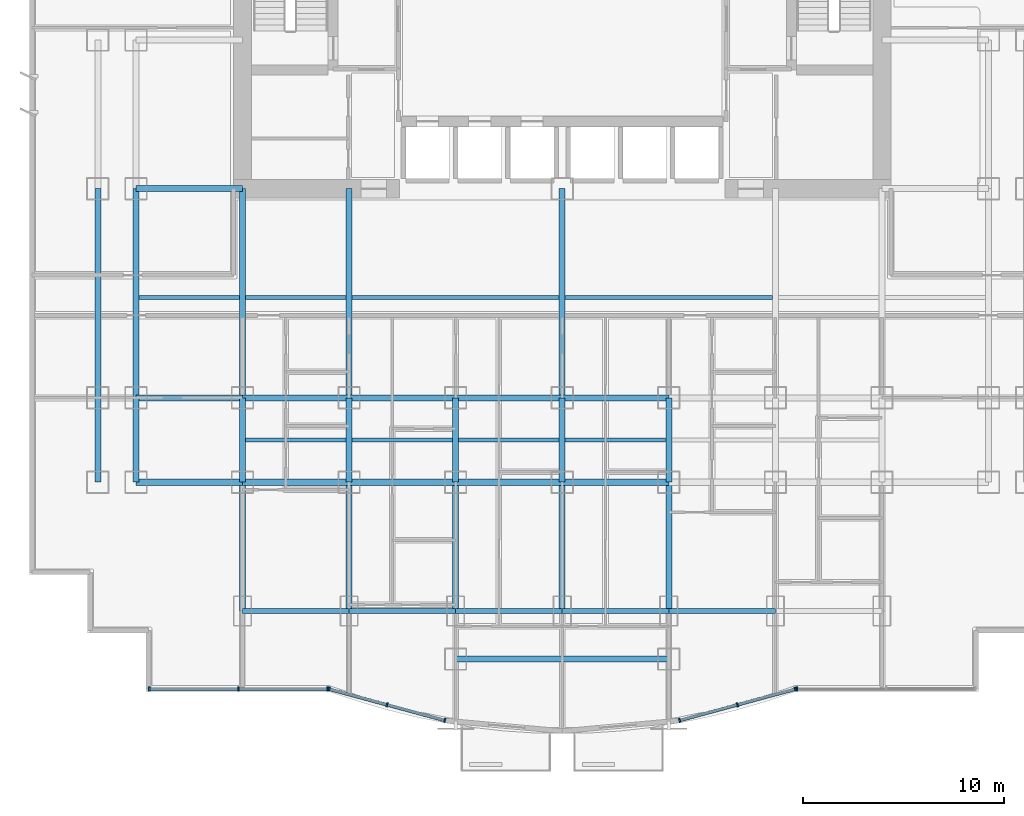
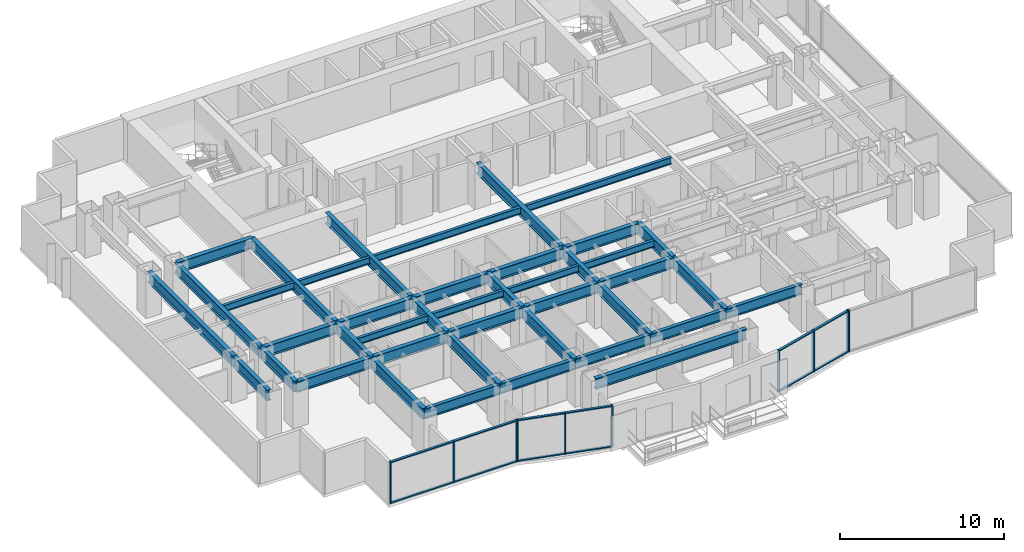
# One storey, part 2 of 12: 42 beams, 22 members, 4 elements without a shape of their own.
"""IFC4 building model written with IfcOpenShell, lengths in metres."""

from ifc_helpers import new_model, si_unit, direction, frame, origin, origin_2d, place, context, subcontext, project, spatial, rectangle, i_section, extrude, source, transform, mapped, material, layer, layer_set, material_profile, profile_set, type_object, element, aggregate, save


model = new_model("IFC4")

# Units and contexts
model_context = context("Model", 3, precision=1e-05, world=origin(), true_north=direction((0.0, 1.0)))
body_context = subcontext(model_context, "Body", "Model", "MODEL_VIEW")
ifc_project = project(units=[si_unit("LENGTHUNIT", "METRE"), si_unit("AREAUNIT", "SQUARE_METRE"), si_unit("VOLUMEUNIT", "CUBIC_METRE"), si_unit("PLANEANGLEUNIT", "RADIAN"), si_unit("MASSUNIT", "GRAM", prefix="KILO")], contexts=[model_context])

# Site, building, storey
site_placement = place(None, origin())
site = spatial("IfcSite", under=ifc_project, at=site_placement, CompositionType="ELEMENT")
building_placement = place(site_placement, origin())
building = spatial("IfcBuilding", under=site, at=building_placement, Name="Qianlan Lanfeng Residences", CompositionType="ELEMENT")
storey_placement = place(building_placement, frame((0.0, 0.0, 63.800048828125)))
storey = spatial("IfcBuildingStorey", under=building, at=storey_placement, Name="L17", CompositionType="ELEMENT", Elevation=63.800048828125)

# Beams
ifc_material_1 = material(Name="Steel SN490B", Category="steel")
ifc_material_profile_1 = material_profile(ifc_material_1, i_section(OverallWidth=0.300048828125, OverallDepth=0.800048828125, WebThickness=0.01611328125, FlangeThickness=0.028076171875, at=origin_2d()), Name="H 800x300x16x28")
ifc_profile_set_1 = profile_set([ifc_material_profile_1], Name="Steel SN490B")
beam_type_1 = type_object("IfcBeamType", Name="G-950", PredefinedType="BEAM", material=ifc_profile_set_1)
beam_1_placement = place(storey_placement, frame((21.199951171875, 1.800048828125, 2.679931640625), z_axis=(1.0, 0.0, 0.0), x_axis=(0.0, 1.0, 0.0)))
element("IfcBeam", 1, at=beam_1_placement, inside=storey, type_object=beam_type_1, Name="Structural beam G-950", PredefinedType="BEAM", context=body_context, shape_type="SweptSolid", body=[
    extrude(i_section(OverallWidth=0.300048828125, OverallDepth=0.800048828125, WebThickness=0.01611328125, FlangeThickness=0.028076171875, at=origin_2d()), origin(), (0.0, 0.0, 1.0), 10.60009765625),
])
beam_2_placement = place(storey_placement, frame((5.300048828125, 10.60009765625, 2.679931640625), z_axis=(1.0, 0.0, 0.0), x_axis=(0.0, 1.0, 0.0)))
element("IfcBeam", 2, at=beam_2_placement, inside=storey, type_object=beam_type_1, Name="Structural beam G-950", PredefinedType="BEAM", context=body_context, shape_type="SweptSolid", body=[
    extrude(i_section(OverallWidth=0.300048828125, OverallDepth=0.800048828125, WebThickness=0.01611328125, FlangeThickness=0.028076171875, at=origin_2d()), origin(), (0.0, 0.0, 1.0), 5.300048828125),
])
beam_3_placement = place(storey_placement, frame((10.60009765625, 10.60009765625, 2.679931640625), z_axis=(1.0, 0.0, 0.0), x_axis=(0.0, 1.0, 0.0)))
element("IfcBeam", 3, at=beam_3_placement, inside=storey, type_object=beam_type_1, Name="Structural beam G-950", PredefinedType="BEAM", context=body_context, shape_type="SweptSolid", body=[
    extrude(i_section(OverallWidth=0.300048828125, OverallDepth=0.800048828125, WebThickness=0.01611328125, FlangeThickness=0.028076171875, at=origin_2d()), origin(), (0.0, 0.0, 1.0), 5.2998046875),
])
for number, where, z_axis, x_axis, name in (
    (4, (15.89990234375, 10.60009765625, 2.679931640625), (1.0, 0.0, 0.0), (0.0, 1.0, 0.0), "Structural beam G-950"),
    (5, (21.199951171875, 10.60009765625, 2.679931640625), (1.0, 0.0, 0.0), (0.0, 1.0, 0.0), "Structural beam G-950"),
    (6, (26.5, 10.60009765625, 2.679931640625), (1.0, 0.0, 0.0), (0.0, 1.0, 0.0), "Structural beam G-950"),
    (7, (5.300048828125, 14.800048828125, 2.679931640625), (1.0, 0.0, 0.0), (0.0, 1.0, 0.0), "Structural beam G-950"),
):
    element("IfcBeam", number, at=place(storey_placement, frame(where, z_axis=z_axis, x_axis=x_axis)), inside=storey, type_object=beam_type_1, Name=name, PredefinedType="BEAM", context=body_context, shape_type="SweptSolid", body=[
        extrude(i_section(OverallWidth=0.300048828125, OverallDepth=0.800048828125, WebThickness=0.01611328125, FlangeThickness=0.028076171875, at=origin_2d()), origin(), (0.0, 0.0, 1.0), 5.300048828125),
    ])
beam_4_placement = place(storey_placement, frame((10.60009765625, 14.800048828125, 2.679931640625), z_axis=(1.0, 0.0, 0.0), x_axis=(0.0, 1.0, 0.0)))
element("IfcBeam", 8, at=beam_4_placement, inside=storey, type_object=beam_type_1, Name="Structural beam G-950", PredefinedType="BEAM", context=body_context, shape_type="SweptSolid", body=[
    extrude(i_section(OverallWidth=0.300048828125, OverallDepth=0.800048828125, WebThickness=0.01611328125, FlangeThickness=0.028076171875, at=origin_2d()), origin(), (0.0, 0.0, 1.0), 5.2998046875),
])
for number, where, z_axis, x_axis, name in (
    (9, (15.89990234375, 14.800048828125, 2.679931640625), (1.0, 0.0, 0.0), (0.0, 1.0, 0.0), "Structural beam G-950"),
    (10, (21.199951171875, 14.800048828125, 2.679931640625), (1.0, 0.0, 0.0), (0.0, 1.0, 0.0), "Structural beam G-950"),
    (11, (26.5, 14.800048828125, 2.679931640625), (1.0, 0.0, 0.0), (0.0, 1.0, 0.0), "Structural beam G-950"),
    (12, (5.300048828125, 25.199951171875, 2.679931640625), (1.0, 0.0, 0.0), (0.0, 1.0, 0.0), "Structural beam G-950"),
):
    element("IfcBeam", number, at=place(storey_placement, frame(where, z_axis=z_axis, x_axis=x_axis)), inside=storey, type_object=beam_type_1, Name=name, PredefinedType="BEAM", context=body_context, shape_type="SweptSolid", body=[
        extrude(i_section(OverallWidth=0.300048828125, OverallDepth=0.800048828125, WebThickness=0.01611328125, FlangeThickness=0.028076171875, at=origin_2d()), origin(), (0.0, 0.0, 1.0), 5.300048828125),
    ])
beam_5_placement = place(storey_placement, frame((3.39990234375, 10.60009765625, 2.679931640625), z_axis=(0.0, 1.0, 0.0), x_axis=(-1.0, 0.0, 0.0)))
element("IfcBeam", 13, at=beam_5_placement, inside=storey, type_object=beam_type_1, Name="Structural beam G-950", PredefinedType="BEAM", context=body_context, shape_type="SweptSolid", body=[
    extrude(i_section(OverallWidth=0.300048828125, OverallDepth=0.800048828125, WebThickness=0.01611328125, FlangeThickness=0.028076171875, at=origin_2d()), origin(), (0.0, 0.0, 1.0), 4.199951171875),
])
beam_6_placement = place(storey_placement, frame((3.39990234375, 14.800048828125, 2.679931640625), z_axis=(0.0, 1.0, 0.0), x_axis=(-1.0, 0.0, 0.0)))
element("IfcBeam", 14, at=beam_6_placement, inside=storey, type_object=beam_type_1, Name="Structural beam G-950", PredefinedType="BEAM", context=body_context, shape_type="SweptSolid", body=[
    extrude(i_section(OverallWidth=0.300048828125, OverallDepth=0.800048828125, WebThickness=0.01611328125, FlangeThickness=0.028076171875, at=origin_2d()), origin(), (0.0, 0.0, 1.0), 10.39990234375),
])
beam_7_placement = place(storey_placement, frame((5.300048828125, 10.60009765625, 2.679931640625), z_axis=(0.0, 1.0, 0.0), x_axis=(-1.0, 0.0, 0.0)))
element("IfcBeam", 15, at=beam_7_placement, inside=storey, type_object=beam_type_1, Name="Structural beam G-950", PredefinedType="BEAM", context=body_context, shape_type="SweptSolid", body=[
    extrude(i_section(OverallWidth=0.300048828125, OverallDepth=0.800048828125, WebThickness=0.01611328125, FlangeThickness=0.028076171875, at=origin_2d()), origin(), (0.0, 0.0, 1.0), 4.199951171875),
])
beam_8_placement = place(storey_placement, frame((5.300048828125, 14.800048828125, 2.679931640625), z_axis=(0.0, 1.0, 0.0), x_axis=(-1.0, 0.0, 0.0)))
element("IfcBeam", 16, at=beam_8_placement, inside=storey, type_object=beam_type_1, Name="Structural beam G-950", PredefinedType="BEAM", context=body_context, shape_type="SweptSolid", body=[
    extrude(i_section(OverallWidth=0.300048828125, OverallDepth=0.800048828125, WebThickness=0.01611328125, FlangeThickness=0.028076171875, at=origin_2d()), origin(), (0.0, 0.0, 1.0), 10.39990234375),
])
beam_9_placement = place(storey_placement, frame((10.60009765625, 4.199951171875, 2.679931640625), z_axis=(0.0, 1.0, 0.0), x_axis=(-1.0, 0.0, 0.0)))
element("IfcBeam", 17, at=beam_9_placement, inside=storey, type_object=beam_type_1, Name="Structural beam G-950", PredefinedType="BEAM", context=body_context, shape_type="SweptSolid", body=[
    extrude(i_section(OverallWidth=0.300048828125, OverallDepth=0.800048828125, WebThickness=0.01611328125, FlangeThickness=0.028076171875, at=origin_2d()), origin(), (0.0, 0.0, 1.0), 6.400146484375),
])
beam_10_placement = place(storey_placement, frame((10.60009765625, 10.60009765625, 2.679931640625), z_axis=(0.0, 1.0, 0.0), x_axis=(-1.0, 0.0, 0.0)))
element("IfcBeam", 18, at=beam_10_placement, inside=storey, type_object=beam_type_1, Name="Structural beam G-950", PredefinedType="BEAM", context=body_context, shape_type="SweptSolid", body=[
    extrude(i_section(OverallWidth=0.300048828125, OverallDepth=0.800048828125, WebThickness=0.01611328125, FlangeThickness=0.028076171875, at=origin_2d()), origin(), (0.0, 0.0, 1.0), 4.199951171875),
])
beam_11_placement = place(storey_placement, frame((10.60009765625, 14.800048828125, 2.679931640625), z_axis=(0.0, 1.0, 0.0), x_axis=(-1.0, 0.0, 0.0)))
element("IfcBeam", 19, at=beam_11_placement, inside=storey, type_object=beam_type_1, Name="Structural beam G-950", PredefinedType="BEAM", context=body_context, shape_type="SweptSolid", body=[
    extrude(i_section(OverallWidth=0.300048828125, OverallDepth=0.800048828125, WebThickness=0.01611328125, FlangeThickness=0.028076171875, at=origin_2d()), origin(), (0.0, 0.0, 1.0), 10.39990234375),
])
beam_12_placement = place(storey_placement, frame((15.89990234375, 4.199951171875, 2.679931640625), z_axis=(0.0, 1.0, 0.0), x_axis=(-1.0, 0.0, 0.0)))
element("IfcBeam", 20, at=beam_12_placement, inside=storey, type_object=beam_type_1, Name="Structural beam G-950", PredefinedType="BEAM", context=body_context, shape_type="SweptSolid", body=[
    extrude(i_section(OverallWidth=0.300048828125, OverallDepth=0.800048828125, WebThickness=0.01611328125, FlangeThickness=0.028076171875, at=origin_2d()), origin(), (0.0, 0.0, 1.0), 6.400146484375),
])
beam_13_placement = place(storey_placement, frame((15.89990234375, 10.60009765625, 2.679931640625), z_axis=(0.0, 1.0, 0.0), x_axis=(-1.0, 0.0, 0.0)))
element("IfcBeam", 21, at=beam_13_placement, inside=storey, type_object=beam_type_1, Name="Structural beam G-950", PredefinedType="BEAM", context=body_context, shape_type="SweptSolid", body=[
    extrude(i_section(OverallWidth=0.300048828125, OverallDepth=0.800048828125, WebThickness=0.01611328125, FlangeThickness=0.028076171875, at=origin_2d()), origin(), (0.0, 0.0, 1.0), 4.199951171875),
])
beam_14_placement = place(storey_placement, frame((15.89990234375, 14.800048828125, 2.679931640625), z_axis=(0.0, 1.0, 0.0), x_axis=(-1.0, 0.0, 0.0)))
element("IfcBeam", 22, at=beam_14_placement, inside=storey, type_object=beam_type_1, Name="Structural beam G-950", PredefinedType="BEAM", context=body_context, shape_type="SweptSolid", body=[
    extrude(i_section(OverallWidth=0.300048828125, OverallDepth=0.800048828125, WebThickness=0.01611328125, FlangeThickness=0.028076171875, at=origin_2d()), origin(), (0.0, 0.0, 1.0), 10.39990234375),
])
beam_15_placement = place(storey_placement, frame((21.199951171875, 4.199951171875, 2.679931640625), z_axis=(0.0, 1.0, 0.0), x_axis=(-1.0, 0.0, 0.0)))
element("IfcBeam", 23, at=beam_15_placement, inside=storey, type_object=beam_type_1, Name="Structural beam G-950", PredefinedType="BEAM", context=body_context, shape_type="SweptSolid", body=[
    extrude(i_section(OverallWidth=0.300048828125, OverallDepth=0.800048828125, WebThickness=0.01611328125, FlangeThickness=0.028076171875, at=origin_2d()), origin(), (0.0, 0.0, 1.0), 6.400146484375),
])
beam_16_placement = place(storey_placement, frame((21.199951171875, 10.60009765625, 2.679931640625), z_axis=(0.0, 1.0, 0.0), x_axis=(-1.0, 0.0, 0.0)))
element("IfcBeam", 24, at=beam_16_placement, inside=storey, type_object=beam_type_1, Name="Structural beam G-950", PredefinedType="BEAM", context=body_context, shape_type="SweptSolid", body=[
    extrude(i_section(OverallWidth=0.300048828125, OverallDepth=0.800048828125, WebThickness=0.01611328125, FlangeThickness=0.028076171875, at=origin_2d()), origin(), (0.0, 0.0, 1.0), 4.199951171875),
])
beam_17_placement = place(storey_placement, frame((26.5, 4.199951171875, 2.679931640625), z_axis=(0.0, 1.0, 0.0), x_axis=(-1.0, 0.0, 0.0)))
element("IfcBeam", 25, at=beam_17_placement, inside=storey, type_object=beam_type_1, Name="Structural beam G-950", PredefinedType="BEAM", context=body_context, shape_type="SweptSolid", body=[
    extrude(i_section(OverallWidth=0.300048828125, OverallDepth=0.800048828125, WebThickness=0.01611328125, FlangeThickness=0.028076171875, at=origin_2d()), origin(), (0.0, 0.0, 1.0), 6.400146484375),
])
beam_18_placement = place(storey_placement, frame((26.5, 10.60009765625, 2.679931640625), z_axis=(0.0, 1.0, 0.0), x_axis=(-1.0, 0.0, 0.0)))
element("IfcBeam", 26, at=beam_18_placement, inside=storey, type_object=beam_type_1, Name="Structural beam G-950", PredefinedType="BEAM", context=body_context, shape_type="SweptSolid", body=[
    extrude(i_section(OverallWidth=0.300048828125, OverallDepth=0.800048828125, WebThickness=0.01611328125, FlangeThickness=0.028076171875, at=origin_2d()), origin(), (0.0, 0.0, 1.0), 4.199951171875),
])
beam_19_placement = place(storey_placement, frame((26.5, 14.800048828125, 2.679931640625), z_axis=(0.0, 1.0, 0.0), x_axis=(-1.0, 0.0, 0.0)))
element("IfcBeam", 27, at=beam_19_placement, inside=storey, type_object=beam_type_1, Name="Structural beam G-950", PredefinedType="BEAM", context=body_context, shape_type="SweptSolid", body=[
    extrude(i_section(OverallWidth=0.300048828125, OverallDepth=0.800048828125, WebThickness=0.01611328125, FlangeThickness=0.028076171875, at=origin_2d()), origin(), (0.0, 0.0, 1.0), 10.39990234375),
])
beam_20_placement = place(storey_placement, frame((31.800048828125, 4.199951171875, 2.679931640625), z_axis=(0.0, 1.0, 0.0), x_axis=(-1.0, 0.0, 0.0)))
element("IfcBeam", 28, at=beam_20_placement, inside=storey, type_object=beam_type_1, Name="Structural beam G-950", PredefinedType="BEAM", context=body_context, shape_type="SweptSolid", body=[
    extrude(i_section(OverallWidth=0.300048828125, OverallDepth=0.800048828125, WebThickness=0.01611328125, FlangeThickness=0.028076171875, at=origin_2d()), origin(), (0.0, 0.0, 1.0), 6.400146484375),
])
beam_21_placement = place(storey_placement, frame((31.800048828125, 10.60009765625, 2.679931640625), z_axis=(0.0, 1.0, 0.0), x_axis=(-1.0, 0.0, 0.0)))
element("IfcBeam", 29, at=beam_21_placement, inside=storey, type_object=beam_type_1, Name="Structural beam G-950", PredefinedType="BEAM", context=body_context, shape_type="SweptSolid", body=[
    extrude(i_section(OverallWidth=0.300048828125, OverallDepth=0.800048828125, WebThickness=0.01611328125, FlangeThickness=0.028076171875, at=origin_2d()), origin(), (0.0, 0.0, 1.0), 4.199951171875),
])
ifc_material_profile_2 = material_profile(ifc_material_1, i_section(OverallWidth=0.199951171875, OverallDepth=0.5, WebThickness=0.010009765625, FlangeThickness=0.01611328125, at=origin_2d()), Name="H 500x200x10x16")
ifc_profile_set_2 = profile_set([ifc_material_profile_2], Name="Steel SN490B")
beam_type_2 = type_object("IfcBeamType", Name="J-500", PredefinedType="JOIST", material=ifc_profile_set_2)
for number, where, z_axis, x_axis, name in (
    (30, (10.75, 12.699951171875, 2.829833984375), (1.0, 0.0, 0.0), (0.0, 1.0, 0.0), "Structural beam J-500"),
    (31, (16.050048828125, 12.699951171875, 2.829833984375), (1.0, 0.0, 0.0), (0.0, 1.0, 0.0), "Structural beam J-500"),
    (32, (21.35009765625, 12.699951171875, 2.829833984375), (1.0, 0.0, 0.0), (0.0, 1.0, 0.0), "Structural beam J-500"),
    (33, (26.64990234375, 12.699951171875, 2.829833984375), (1.0, 0.0, 0.0), (0.0, 1.0, 0.0), "Structural beam J-500"),
    (34, (5.449951171875, 19.800048828125, 2.829833984375), (1.0, 0.0, 0.0), (0.0, 1.0, 0.0), "Structural beam J-500"),
    (35, (10.75, 19.800048828125, 2.829833984375), (1.0, 0.0, 0.0), (0.0, 1.0, 0.0), "Structural beam J-500"),
):
    element("IfcBeam", number, at=place(storey_placement, frame(where, z_axis=z_axis, x_axis=x_axis)), inside=storey, type_object=beam_type_2, Name=name, PredefinedType="JOIST", context=body_context, shape_type="SweptSolid", body=[
        extrude(i_section(OverallWidth=0.199951171875, OverallDepth=0.5, WebThickness=0.010009765625, FlangeThickness=0.01611328125, at=origin_2d()), origin(), (0.0, 0.0, 1.0), 5.0),
    ])
for number, where, z_axis, x_axis, name in (
    (36, (16.050048828125, 19.800048828125, 2.829833984375), (1.0, 0.0, 0.0), (0.0, 1.0, 0.0), "Structural beam J-500"),
    (37, (26.64990234375, 19.800048828125, 2.829833984375), (1.0, 0.0, 0.0), (0.0, 1.0, 0.0), "Structural beam J-500"),
):
    element("IfcBeam", number, at=place(storey_placement, frame(where, z_axis=z_axis, x_axis=x_axis)), inside=storey, type_object=beam_type_2, Name=name, PredefinedType="JOIST", context=body_context, shape_type="SweptSolid", body=[
        extrude(i_section(OverallWidth=0.199951171875, OverallDepth=0.5, WebThickness=0.010009765625, FlangeThickness=0.01611328125, at=origin_2d()), origin(), (0.0, 0.0, 1.0), 10.300048828125),
    ])
ifc_material_profile_3 = material_profile(ifc_material_1, i_section(OverallWidth=0.25, OverallDepth=0.75, WebThickness=0.013916015625, FlangeThickness=0.02490234375, at=origin_2d()), Name="H 750x250x14x25")
ifc_profile_set_3 = profile_set([ifc_material_profile_3], Name="Steel SN490B")
beam_type_3 = type_object("IfcBeamType", Name="SG-850", PredefinedType="SPANDREL", material=ifc_profile_set_3)
beam_22_placement = place(storey_placement, frame((10.60009765625, 4.199951171875, 2.704833984375), z_axis=(1.0, 0.0, 0.0), x_axis=(0.0, 1.0, 0.0)))
element("IfcBeam", 38, at=beam_22_placement, inside=storey, type_object=beam_type_3, Name="Structural beam SG-850", PredefinedType="SPANDREL", context=body_context, shape_type="SweptSolid", body=[
    extrude(i_section(OverallWidth=0.25, OverallDepth=0.75, WebThickness=0.013916015625, FlangeThickness=0.02490234375, at=origin_2d()), origin(), (0.0, 0.0, 1.0), 5.2998046875),
])
for number, where, z_axis, x_axis, name in (
    (39, (15.89990234375, 4.199951171875, 2.704833984375), (1.0, 0.0, 0.0), (0.0, 1.0, 0.0), "Structural beam SG-850"),
    (40, (21.199951171875, 4.199951171875, 2.704833984375), (1.0, 0.0, 0.0), (0.0, 1.0, 0.0), "Structural beam SG-850"),
    (41, (26.5, 4.199951171875, 2.704833984375), (1.0, 0.0, 0.0), (0.0, 1.0, 0.0), "Structural beam SG-850"),
    (42, (31.800048828125, 4.199951171875, 2.704833984375), (1.0, 0.0, 0.0), (0.0, 1.0, 0.0), "Structural beam SG-850"),
):
    element("IfcBeam", number, at=place(storey_placement, frame(where, z_axis=z_axis, x_axis=x_axis)), inside=storey, type_object=beam_type_3, Name=name, PredefinedType="SPANDREL", context=body_context, shape_type="SweptSolid", body=[
        extrude(i_section(OverallWidth=0.25, OverallDepth=0.75, WebThickness=0.013916015625, FlangeThickness=0.02490234375, at=origin_2d()), origin(), (0.0, 0.0, 1.0), 5.300048828125),
    ])

# Curtain wall, members
ifc_material_2 = material(Name="Anodised Bronze Aluminium 6063-T6", Category="aluminium")
ifc_layer = layer(ifc_material_2, 0.219970703125)
ifc_layer_set = layer_set([ifc_layer], Name="Anodised Bronze Aluminium 6063-T6")
curtain_wall_type = type_object("IfcCurtainWallType", Name="CW-02", PredefinedType="NOTDEFINED", material=ifc_layer_set)
curtain_wall_1_placement = place(storey_placement, origin())
curtain_wall_1 = element("IfcCurtainWall", 43, at=curtain_wall_1_placement, inside=storey, type_object=curtain_wall_type, Name="L17 Unitised Curtain Wall CWR-L17-02 (CW-02)", PredefinedType="NOTDEFINED")
ifc_material_profile_4 = material_profile(ifc_material_2, rectangle(XDim=0.080078125, YDim=0.159912109375, at=origin_2d()), Name="ALU TRANSOM 80x160")
ifc_profile_set_4 = profile_set([ifc_material_profile_4], Name="Anodised Bronze Aluminium 6063-T6")
member_type_1 = type_object("IfcMemberType", Name="CWT-180", PredefinedType="USERDEFINED", material=ifc_profile_set_4)
shared_shape_1 = source(origin(), body_context, "Body", "SweptSolid", [
    extrude(rectangle(XDim=0.080078125, YDim=0.159912109375, at=origin_2d()), origin(), (0.0, 0.0, 1.0), 2.897705078125),
])
member_1_placement = place(storey_placement, frame((14.947265625, 0.299072265625, 0.0400390625), z_axis=(0.965267548724, -0.261263390817, 0.0), x_axis=(0.0, 0.0, 1.0)))
member_1 = element("IfcMember", 44, at=member_1_placement, type_object=member_type_1, Name="CWR-L17-02 Transom 1-BOT", ObjectType="TRANSOM", PredefinedType="USERDEFINED", context=body_context, shape_type="MappedRepresentation", body=[
    mapped(shared_shape_1, transform((0.0, 0.0, 0.0), scale=1.0)),
])
member_2_placement = place(storey_placement, frame((14.947265625, 0.299072265625, 3.0400390625), z_axis=(0.965267548724, -0.261263390817, 0.0), x_axis=(0.0, 0.0, 1.0)))
member_2 = element("IfcMember", 45, at=member_2_placement, type_object=member_type_1, Name="CWR-L17-02 Transom 1-TOP", ObjectType="TRANSOM", PredefinedType="USERDEFINED", context=body_context, shape_type="MappedRepresentation", body=[
    mapped(shared_shape_1, transform((0.0, 0.0, 0.0), scale=1.0)),
])

curtain_wall_2_placement = place(storey_placement, origin())
curtain_wall_2 = element("IfcCurtainWall", 46, at=curtain_wall_2_placement, inside=storey, type_object=curtain_wall_type, Name="L17 Unitised Curtain Wall CWR-L17-03 (CW-02)", PredefinedType="NOTDEFINED")
member_3_placement = place(storey_placement, frame((35.255615234375, -0.4580078125, 0.0400390625), z_axis=(0.965267548724, 0.261263390817, 0.0), x_axis=(0.0, 0.0, 1.0)))
member_3 = element("IfcMember", 47, at=member_3_placement, type_object=member_type_1, Name="CWR-L17-03 Transom 2-BOT", ObjectType="TRANSOM", PredefinedType="USERDEFINED", context=body_context, shape_type="MappedRepresentation", body=[
    mapped(shared_shape_1, transform((0.0, 0.0, 0.0), scale=1.0)),
])
member_4_placement = place(storey_placement, frame((35.255615234375, -0.4580078125, 3.0400390625), z_axis=(0.965267548724, 0.261263390817, 0.0), x_axis=(0.0, 0.0, 1.0)))
member_4 = element("IfcMember", 48, at=member_4_placement, type_object=member_type_1, Name="CWR-L17-03 Transom 2-TOP", ObjectType="TRANSOM", PredefinedType="USERDEFINED", context=body_context, shape_type="MappedRepresentation", body=[
    mapped(shared_shape_1, transform((0.0, 0.0, 0.0), scale=1.0)),
])

# Member
shared_shape_2 = source(origin(), body_context, "Body", "SweptSolid", [
    extrude(rectangle(XDim=0.080078125, YDim=0.159912109375, at=origin_2d()), origin(), (0.0, 0.0, 1.0), 2.89794921875),
])
member_5_placement = place(storey_placement, frame((17.821533203125, -0.47900390625, 0.0400390625), z_axis=(0.965273298897, -0.261242145215, 0.0), x_axis=(0.0, 0.0, 1.0)))
member_5 = element("IfcMember", 49, at=member_5_placement, type_object=member_type_1, Name="CWR-L17-02 Transom 2-BOT", ObjectType="TRANSOM", PredefinedType="USERDEFINED", context=body_context, shape_type="MappedRepresentation", body=[
    mapped(shared_shape_2, transform((0.0, 0.0, 0.0), scale=1.0)),
])

member_6_placement = place(storey_placement, frame((17.821533203125, -0.47900390625, 3.0400390625), z_axis=(0.965273298897, -0.261242145215, 0.0), x_axis=(0.0, 0.0, 1.0)))
member_6 = element("IfcMember", 50, at=member_6_placement, type_object=member_type_1, Name="CWR-L17-02 Transom 2-TOP", ObjectType="TRANSOM", PredefinedType="USERDEFINED", context=body_context, shape_type="MappedRepresentation", body=[
    mapped(shared_shape_2, transform((0.0, 0.0, 0.0), scale=1.0)),
])

member_7_placement = place(storey_placement, frame((32.381103515625, -1.236083984375, 0.0400390625), z_axis=(0.965273298897, 0.261242145215, 0.0), x_axis=(0.0, 0.0, 1.0)))
member_7 = element("IfcMember", 51, at=member_7_placement, type_object=member_type_1, Name="CWR-L17-03 Transom 1-BOT", ObjectType="TRANSOM", PredefinedType="USERDEFINED", context=body_context, shape_type="MappedRepresentation", body=[
    mapped(shared_shape_2, transform((0.0, 0.0, 0.0), scale=1.0)),
])

member_8_placement = place(storey_placement, frame((32.381103515625, -1.236083984375, 3.0400390625), z_axis=(0.965273298897, 0.261242145215, 0.0), x_axis=(0.0, 0.0, 1.0)))
member_8 = element("IfcMember", 52, at=member_8_placement, type_object=member_type_1, Name="CWR-L17-03 Transom 1-TOP", ObjectType="TRANSOM", PredefinedType="USERDEFINED", context=body_context, shape_type="MappedRepresentation", body=[
    mapped(shared_shape_2, transform((0.0, 0.0, 0.0), scale=1.0)),
])

# Curtain wall, members
curtain_wall_3_placement = place(storey_placement, origin())
curtain_wall_3 = element("IfcCurtainWall", 53, at=curtain_wall_3_placement, inside=storey, type_object=curtain_wall_type, Name="L17 Unitised Curtain Wall CWR-L17-01 (CW-02)", PredefinedType="NOTDEFINED")
shared_shape_3 = source(origin(), body_context, "Body", "SweptSolid", [
    extrude(rectangle(XDim=0.080078125, YDim=0.159912109375, at=origin_2d()), origin(), (0.0, 0.0, 1.0), 4.35498046875),
])
member_9_placement = place(storey_placement, frame((6.0, 0.320068359375, 0.0400390625), z_axis=(1.0, 0.0, 0.0), x_axis=(0.0, 0.0, 1.0)))
member_9 = element("IfcMember", 54, at=member_9_placement, type_object=member_type_1, Name="CWR-L17-01 Transom 1-BOT", ObjectType="TRANSOM", PredefinedType="USERDEFINED", context=body_context, shape_type="MappedRepresentation", body=[
    mapped(shared_shape_3, transform((0.0, 0.0, 0.0), scale=1.0)),
])
member_10_placement = place(storey_placement, frame((6.0, 0.320068359375, 3.0400390625), z_axis=(1.0, 0.0, 0.0), x_axis=(0.0, 0.0, 1.0)))
member_10 = element("IfcMember", 55, at=member_10_placement, type_object=member_type_1, Name="CWR-L17-01 Transom 1-TOP", ObjectType="TRANSOM", PredefinedType="USERDEFINED", context=body_context, shape_type="MappedRepresentation", body=[
    mapped(shared_shape_3, transform((0.0, 0.0, 0.0), scale=1.0)),
])
member_11_placement = place(storey_placement, frame((10.43505859375, 0.320068359375, 0.0400390625), z_axis=(1.0, 0.0, 0.0), x_axis=(0.0, 0.0, 1.0)))
member_11 = element("IfcMember", 56, at=member_11_placement, type_object=member_type_1, Name="CWR-L17-01 Transom 2-BOT", ObjectType="TRANSOM", PredefinedType="USERDEFINED", context=body_context, shape_type="MappedRepresentation", body=[
    mapped(shared_shape_3, transform((0.0, 0.0, 0.0), scale=1.0)),
])
member_12_placement = place(storey_placement, frame((10.43505859375, 0.320068359375, 3.0400390625), z_axis=(1.0, 0.0, 0.0), x_axis=(0.0, 0.0, 1.0)))
member_12 = element("IfcMember", 57, at=member_12_placement, type_object=member_type_1, Name="CWR-L17-01 Transom 2-TOP", ObjectType="TRANSOM", PredefinedType="USERDEFINED", context=body_context, shape_type="MappedRepresentation", body=[
    mapped(shared_shape_3, transform((0.0, 0.0, 0.0), scale=1.0)),
])
ifc_material_profile_5 = material_profile(ifc_material_2, rectangle(XDim=0.080078125, YDim=0.2099609375, at=origin_2d()), Name="ALU MULLION 80x210")
ifc_profile_set_5 = profile_set([ifc_material_profile_5], Name="Anodised Bronze Aluminium 6063-T6")
member_type_2 = type_object("IfcMemberType", Name="CWM-220", PredefinedType="MULLION", material=ifc_profile_set_5)
shared_shape_4 = source(origin(), body_context, "Body", "SweptSolid", [
    extrude(rectangle(XDim=0.080078125, YDim=0.2099609375, at=origin_2d()), origin(), (0.0, 0.0, 1.0), 3.079833984375),
])
member_13_placement = place(storey_placement, frame((5.9599609375, 0.320068359375, 0.0), z_axis=(0.0, 0.0, 1.0), x_axis=(1.0, 0.0, 0.0)))
member_13 = element("IfcMember", 58, at=member_13_placement, type_object=member_type_2, Name="CWR-L17-01 Mullion 1", PredefinedType="MULLION", context=body_context, shape_type="MappedRepresentation", body=[
    mapped(shared_shape_4, transform((0.0, 0.0, 0.0), scale=1.0)),
])
member_14_placement = place(storey_placement, frame((10.39501953125, 0.320068359375, 0.0), z_axis=(0.0, 0.0, 1.0), x_axis=(1.0, 0.0, 0.0)))
member_14 = element("IfcMember", 59, at=member_14_placement, type_object=member_type_2, Name="CWR-L17-01 Mullion 2", PredefinedType="MULLION", context=body_context, shape_type="MappedRepresentation", body=[
    mapped(shared_shape_4, transform((0.0, 0.0, 0.0), scale=1.0)),
])
member_15_placement = place(storey_placement, frame((14.830078125, 0.320068359375, 0.0), z_axis=(0.0, 0.0, 1.0), x_axis=(1.0, 0.0, 0.0)))
member_15 = element("IfcMember", 60, at=member_15_placement, type_object=member_type_2, Name="CWR-L17-01 Mullion 3", PredefinedType="MULLION", context=body_context, shape_type="MappedRepresentation", body=[
    mapped(shared_shape_4, transform((0.0, 0.0, 0.0), scale=1.0)),
])
aggregate(curtain_wall_3, [member_13, member_14, member_15, member_9, member_10, member_11, member_12])

# Member
member_16_placement = place(storey_placement, frame((14.90869140625, 0.3095703125, 0.0), z_axis=(0.0, 0.0, 1.0), x_axis=(0.9652627173, -0.261281240412, 0.0)))
member_16 = element("IfcMember", 61, at=member_16_placement, type_object=member_type_2, Name="CWR-L17-02 Mullion 1", PredefinedType="MULLION", context=body_context, shape_type="MappedRepresentation", body=[
    mapped(shared_shape_4, transform((0.0, 0.0, 0.0), scale=1.0)),
])

member_17_placement = place(storey_placement, frame((17.782958984375, -0.468505859375, 0.0), z_axis=(0.0, 0.0, 1.0), x_axis=(0.9652627173, -0.261281240412, 0.0)))
member_17 = element("IfcMember", 62, at=member_17_placement, type_object=member_type_2, Name="CWR-L17-02 Mullion 2", PredefinedType="MULLION", context=body_context, shape_type="MappedRepresentation", body=[
    mapped(shared_shape_4, transform((0.0, 0.0, 0.0), scale=1.0)),
])

member_18_placement = place(storey_placement, frame((20.657470703125, -1.24658203125, 0.0), z_axis=(0.0, 0.0, 1.0), x_axis=(0.9652627173, -0.261281240412, 0.0)))
member_18 = element("IfcMember", 63, at=member_18_placement, type_object=member_type_2, Name="CWR-L17-02 Mullion 3", PredefinedType="MULLION", context=body_context, shape_type="MappedRepresentation", body=[
    mapped(shared_shape_4, transform((0.0, 0.0, 0.0), scale=1.0)),
])

aggregate(curtain_wall_1, [member_16, member_17, member_18, member_1, member_2, member_5, member_6])

member_19_placement = place(storey_placement, frame((32.342529296875, -1.24658203125, 0.0), z_axis=(0.0, 0.0, 1.0), x_axis=(0.9652627173, 0.261281240412, 0.0)))
member_19 = element("IfcMember", 64, at=member_19_placement, type_object=member_type_2, Name="CWR-L17-03 Mullion 1", PredefinedType="MULLION", context=body_context, shape_type="MappedRepresentation", body=[
    mapped(shared_shape_4, transform((0.0, 0.0, 0.0), scale=1.0)),
])

member_20_placement = place(storey_placement, frame((35.217041015625, -0.468505859375, 0.0), z_axis=(0.0, 0.0, 1.0), x_axis=(0.9652627173, 0.261281240412, 0.0)))
member_20 = element("IfcMember", 65, at=member_20_placement, type_object=member_type_2, Name="CWR-L17-03 Mullion 2", PredefinedType="MULLION", context=body_context, shape_type="MappedRepresentation", body=[
    mapped(shared_shape_4, transform((0.0, 0.0, 0.0), scale=1.0)),
])

member_21_placement = place(storey_placement, frame((38.09130859375, 0.3095703125, 0.0), z_axis=(0.0, 0.0, 1.0), x_axis=(0.9652627173, 0.261281240412, 0.0)))
member_21 = element("IfcMember", 66, at=member_21_placement, type_object=member_type_2, Name="CWR-L17-03 Mullion 3", PredefinedType="MULLION", context=body_context, shape_type="MappedRepresentation", body=[
    mapped(shared_shape_4, transform((0.0, 0.0, 0.0), scale=1.0)),
])

aggregate(curtain_wall_2, [member_19, member_20, member_21, member_7, member_8, member_3, member_4])

# Curtain wall, member
curtain_wall_4_placement = place(storey_placement, origin())
curtain_wall_4 = element("IfcCurtainWall", 67, at=curtain_wall_4_placement, inside=storey, type_object=curtain_wall_type, Name="L17 Unitised Curtain Wall CWR-L17-04 (CW-02)", PredefinedType="NOTDEFINED")
member_22_placement = place(storey_placement, frame((38.169921875, 0.320068359375, 0.0), z_axis=(0.0, 0.0, 1.0), x_axis=(1.0, 0.0, 0.0)))
member_22 = element("IfcMember", 68, at=member_22_placement, type_object=member_type_2, Name="CWR-L17-04 Mullion 1", PredefinedType="MULLION", context=body_context, shape_type="MappedRepresentation", body=[
    mapped(shared_shape_4, transform((0.0, 0.0, 0.0), scale=1.0)),
])
aggregate(curtain_wall_4, [member_22])

save(model, "model.ifc")
